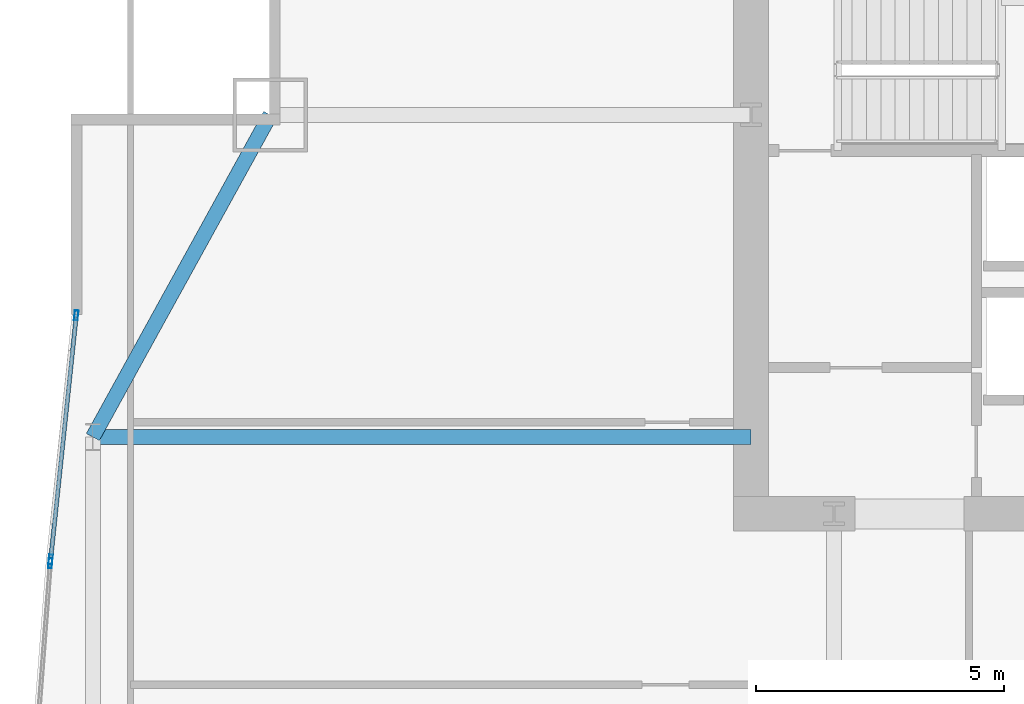
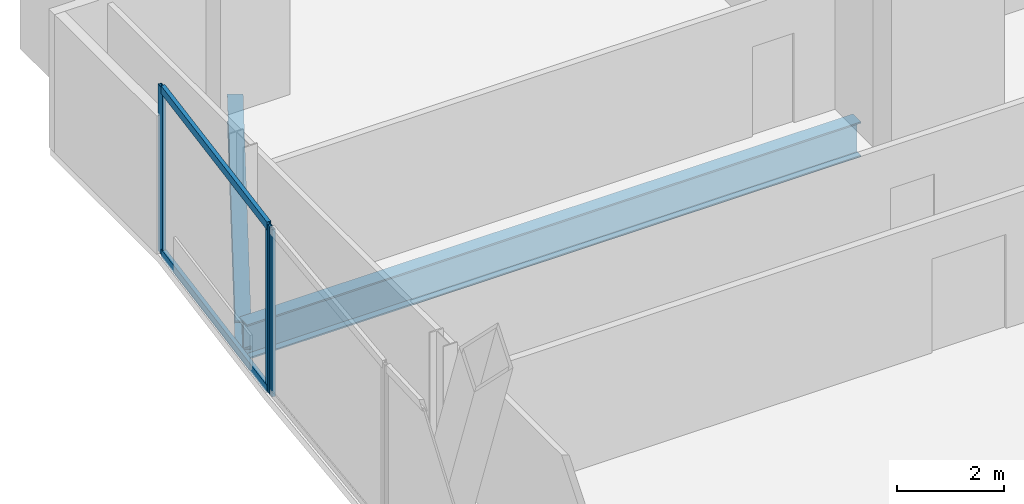
# One storey, part 18 of 32: 5 members, 2 beams, 2 elements without a shape of their own.
"""IFC4 building model written with IfcOpenShell, lengths in metres."""

from ifc_helpers import new_model, si_unit, direction, frame, origin, origin_2d, place, context, subcontext, project, spatial, hollow_rectangle, i_section, extrude, material, material_profile, profile_set, type_object, element, aggregate, save


model = new_model("IFC4")

# Units and contexts
model_context = context("Model", 3, precision=1e-05, world=origin(), true_north=direction((0.0, 1.0)))
body_context = subcontext(model_context, "Body", "Model", "MODEL_VIEW")
ifc_project = project(units=[si_unit("LENGTHUNIT", "METRE"), si_unit("AREAUNIT", "SQUARE_METRE"), si_unit("VOLUMEUNIT", "CUBIC_METRE"), si_unit("PLANEANGLEUNIT", "RADIAN"), si_unit("MASSUNIT", "GRAM", prefix="KILO")], contexts=[model_context])

# Site, building, storey
site_placement = place(None, origin())
site = spatial("IfcSite", under=ifc_project, at=site_placement, CompositionType="ELEMENT")
building_placement = place(site_placement, origin())
building = spatial("IfcBuilding", under=site, at=building_placement, Name="Khoronbel Lancet Exchange", CompositionType="ELEMENT")
storey_placement = place(building_placement, frame((0.0, 0.0, 94.60009765625)))
storey = spatial("IfcBuildingStorey", under=building, at=storey_placement, Name="L22", CompositionType="ELEMENT", Elevation=94.60009765625)

# Beams
ifc_material_1 = material(Name="Steel S355", Category="steel")
ifc_material_profile_1 = material_profile(ifc_material_1, i_section(OverallWidth=0.300048828125, OverallDepth=0.800048828125, WebThickness=0.017578125, FlangeThickness=0.032958984375, at=origin_2d()), Name="HEB 800")
ifc_profile_set_1 = profile_set([ifc_material_profile_1], Name="Steel S355")
beam_type_1 = type_object("IfcBeamType", Name="BM-BG2", PredefinedType="BEAM", material=ifc_profile_set_1)
beam_1_placement = place(storey_placement, frame((3.27001953125, 43.199951171875, -0.580078125), z_axis=(1.0, 0.0, 0.0), x_axis=(0.0, 1.0, 0.0)))
element("IfcBeam", 1, at=beam_1_placement, inside=storey, type_object=beam_type_1, Name="Level L22 west lens tie girder LG3W", PredefinedType="BEAM", context=body_context, shape_type="SweptSolid", body=[
    extrude(i_section(OverallWidth=0.300048828125, OverallDepth=0.800048828125, WebThickness=0.017578125, FlangeThickness=0.032958984375, at=origin_2d()), origin(), (0.0, 0.0, 1.0), 13.280029296875),
])
ifc_material_profile_2 = material_profile(ifc_material_1, i_section(OverallWidth=0.300048828125, OverallDepth=0.64990234375, WebThickness=0.01611328125, FlangeThickness=0.031005859375, at=origin_2d()), Name="HEB 650")
ifc_profile_set_2 = profile_set([ifc_material_profile_2], Name="Steel S355")
beam_type_2 = type_object("IfcBeamType", Name="BM-BSP1", PredefinedType="SPANDREL", material=ifc_profile_set_2)
beam_2_placement = place(storey_placement, frame((6.85009765625, 49.699951171875, -0.505126953125), z_axis=(-0.482444051088, -0.875926787791, 0.0), x_axis=(0.875926787791, -0.482444051088, 0.0)))
element("IfcBeam", 2, at=beam_2_placement, inside=storey, type_object=beam_type_2, Name="Level L22 perimeter spandrel beam SP16", PredefinedType="SPANDREL", context=body_context, shape_type="SweptSolid", body=[
    extrude(i_section(OverallWidth=0.300048828125, OverallDepth=0.64990234375, WebThickness=0.01611328125, FlangeThickness=0.031005859375, at=origin_2d()), origin(), (0.0, 0.0, 1.0), 7.420654296875),
])

# Curtain wall, member
ifc_material_2 = material(Name="Low-E Solar Control Insulating Glass", Category="glass")
curtain_wall_type = type_object("IfcCurtainWallType", Name="CW-4", PredefinedType="NOTDEFINED", material=ifc_material_2)
curtain_wall_1_placement = place(storey_placement, origin())
curtain_wall_1 = element("IfcCurtainWall", 3, at=curtain_wall_1_placement, inside=storey, type_object=curtain_wall_type, Name="Unitised curtain wall CW-L22-E08", PredefinedType="NOTDEFINED")
ifc_material_3 = material(Name="Bronze-Anodised Aluminium 6063-T6", Category="aluminium")
ifc_material_profile_3 = material_profile(ifc_material_3, hollow_rectangle(XDim=0.074951171875, YDim=0.199951171875, WallThickness=0.0048828125, at=origin_2d()), Name="ALU MULLION 75x200")
ifc_profile_set_3 = profile_set([ifc_material_profile_3], Name="Bronze-Anodised Aluminium 6063-T6")
member_type_1 = type_object("IfcMemberType", Name="MEM-CWM2", PredefinedType="MULLION", material=ifc_profile_set_3)
member_1_placement = place(storey_placement, frame((2.41162109375, 40.654541015625, 0.0), z_axis=(0.0, 0.0, 1.0), x_axis=(-0.997059882555, 0.076626304874, 0.0)))
member_1 = element("IfcMember", 4, at=member_1_placement, type_object=member_type_1, Name="CW4 mullion 2", PredefinedType="MULLION", context=body_context, shape_type="SweptSolid", body=[
    extrude(hollow_rectangle(XDim=0.074951171875, YDim=0.199951171875, WallThickness=0.0048828125, at=origin_2d()), origin(), (0.0, 0.0, 1.0), 3.81982421875),
])
aggregate(curtain_wall_1, [member_1])

# Curtain wall, members
curtain_wall_2_placement = place(storey_placement, origin())
curtain_wall_2 = element("IfcCurtainWall", 5, at=curtain_wall_2_placement, inside=storey, type_object=curtain_wall_type, Name="Unitised curtain wall CW-L22-E09", PredefinedType="NOTDEFINED")
member_2_placement = place(storey_placement, frame((2.41845703125, 40.729248046875, 0.0), z_axis=(0.0, 0.0, 1.0), x_axis=(-0.994531779003, 0.104434383958, 0.0)))
member_2 = element("IfcMember", 6, at=member_2_placement, type_object=member_type_1, Name="CW4 mullion 1", PredefinedType="MULLION", context=body_context, shape_type="SweptSolid", body=[
    extrude(hollow_rectangle(XDim=0.074951171875, YDim=0.199951171875, WallThickness=0.0048828125, at=origin_2d()), origin(), (0.0, 0.0, 1.0), 3.81982421875),
])
member_3_placement = place(storey_placement, frame((2.93603515625, 45.657958984375, 0.0), z_axis=(0.0, 0.0, 1.0), x_axis=(-0.994531779003, 0.104434383958, 0.0)))
member_3 = element("IfcMember", 7, at=member_3_placement, type_object=member_type_1, Name="CW4 mullion 2", PredefinedType="MULLION", context=body_context, shape_type="SweptSolid", body=[
    extrude(hollow_rectangle(XDim=0.074951171875, YDim=0.199951171875, WallThickness=0.0048828125, at=origin_2d()), origin(), (0.0, 0.0, 1.0), 3.81982421875),
])
ifc_material_profile_4 = material_profile(ifc_material_3, hollow_rectangle(XDim=0.0849609375, YDim=0.179931640625, WallThickness=0.0048828125, at=origin_2d()), Name="ALU TRANSOM 85x180")
ifc_profile_set_4 = profile_set([ifc_material_profile_4], Name="Bronze-Anodised Aluminium 6063-T6")
member_type_2 = type_object("IfcMemberType", Name="MEM-CWT1", PredefinedType="USERDEFINED", material=ifc_profile_set_4)
member_4_placement = place(storey_placement, frame((2.42236328125, 40.7666015625, 0.04248046875), z_axis=(0.104445225696, 0.994530640468, 0.0), x_axis=(-0.994530640468, 0.104445225696, 0.0)))
member_4 = element("IfcMember", 8, at=member_4_placement, type_object=member_type_2, Name="CW4 transom 1.1", ObjectType="TRANSOM", PredefinedType="USERDEFINED", context=body_context, shape_type="SweptSolid", body=[
    extrude(hollow_rectangle(XDim=0.0849609375, YDim=0.179931640625, WallThickness=0.0048828125, at=origin_2d()), origin(), (0.0, 0.0, 1.0), 4.880615234375),
])
member_5_placement = place(storey_placement, frame((2.42236328125, 40.7666015625, 3.77734375), z_axis=(0.104445225696, 0.994530640468, 0.0), x_axis=(-0.994530640468, 0.104445225696, 0.0)))
member_5 = element("IfcMember", 9, at=member_5_placement, type_object=member_type_2, Name="CW4 transom 1.2", ObjectType="TRANSOM", PredefinedType="USERDEFINED", context=body_context, shape_type="SweptSolid", body=[
    extrude(hollow_rectangle(XDim=0.0849609375, YDim=0.179931640625, WallThickness=0.0048828125, at=origin_2d()), origin(), (0.0, 0.0, 1.0), 4.880615234375),
])
aggregate(curtain_wall_2, [member_2, member_3, member_4, member_5])

save(model, "model.ifc")
